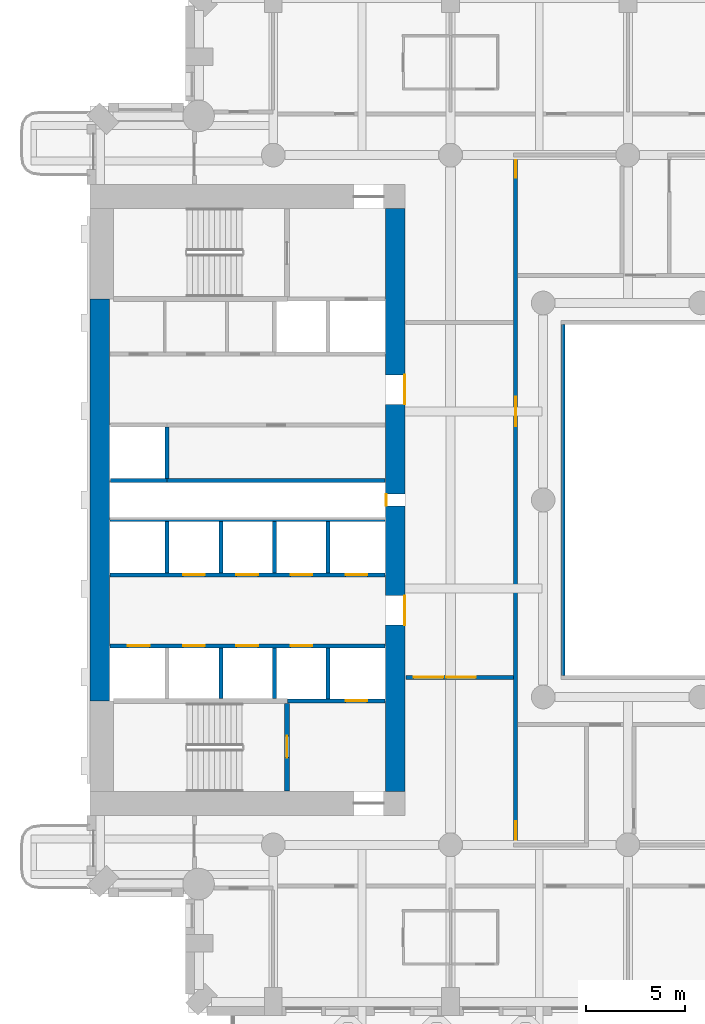
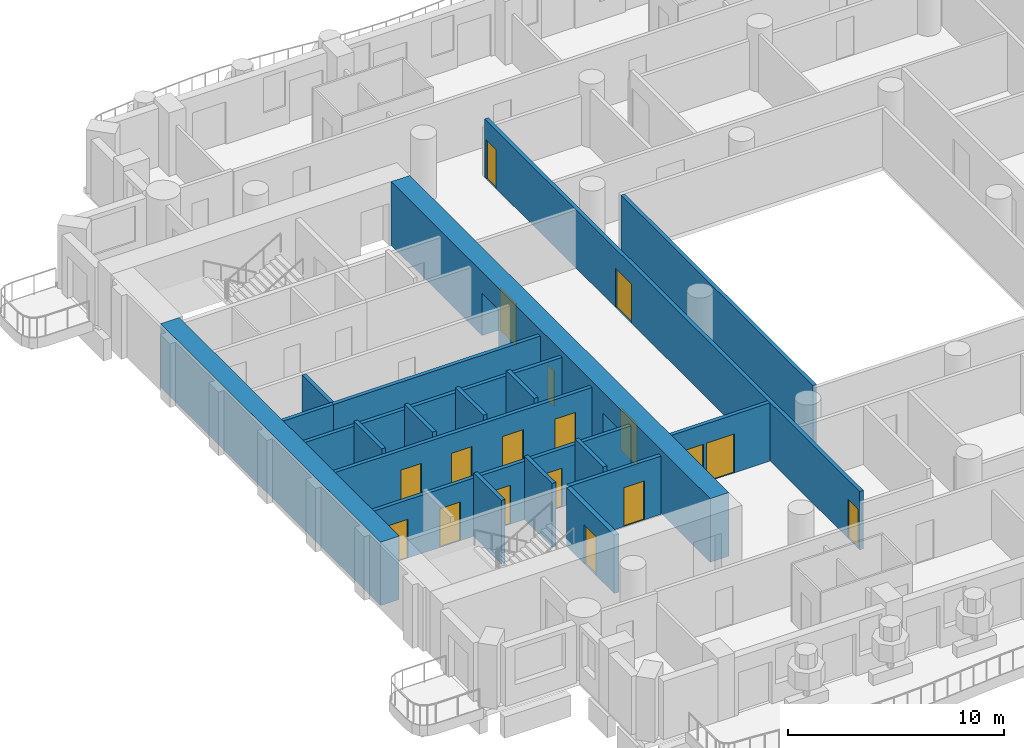
# One storey, part 4 of 19: 20 walls, 18 doors, 18 openings.
"""IFC4 building model written with IfcOpenShell, lengths in metres."""

from ifc_helpers import new_model, si_unit, direction, frame, frame_2d, origin, place, context, subcontext, project, spatial, rectangle, extrude, material, layer, layer_set, type_object, element, fill, save


model = new_model("IFC4")

# Units and contexts
model_context = context("Model", 3, precision=1e-05, world=origin(), true_north=direction((0.0, 1.0)))
body_context = subcontext(model_context, "Body", "Model", "MODEL_VIEW")
ifc_project = project(units=[si_unit("LENGTHUNIT", "METRE"), si_unit("AREAUNIT", "SQUARE_METRE"), si_unit("VOLUMEUNIT", "CUBIC_METRE"), si_unit("PLANEANGLEUNIT", "RADIAN"), si_unit("MASSUNIT", "GRAM", prefix="KILO")], contexts=[model_context])

# Site, building, storey
site_placement = place(None, origin())
site = spatial("IfcSite", under=ifc_project, at=site_placement, CompositionType="ELEMENT")
building_placement = place(site_placement, origin())
building = spatial("IfcBuilding", under=site, at=building_placement, Name="Cypress Arch Tower", CompositionType="ELEMENT")
storey_placement = place(building_placement, frame((0.0, 0.0, 66.300048828125)))
storey = spatial("IfcBuildingStorey", under=building, at=storey_placement, Name="L10", CompositionType="ELEMENT", Elevation=66.300048828125)

# Wall, openings, doors
ifc_material_1 = material(Name="Concrete C80/95", Category="concrete")
ifc_layer_1 = layer(ifc_material_1, 1.0)
ifc_layer_set_1 = layer_set([ifc_layer_1], Name="Core wall CW1000 C80/95")
wall_type_1 = type_object("IfcWallType", Name="Core wall CW1000 C80/95", PredefinedType="SHEAR", material=ifc_layer_set_1)
wall_1_placement = place(storey_placement, frame((-14.5, -14.800048828125, 0.0), z_axis=(0.0, 0.0, 1.0), x_axis=(0.0, 1.0, 0.0)))
wall_1 = element("IfcWall", 1, at=wall_1_placement, inside=storey, type_object=wall_type_1, Name="Core wall", PredefinedType="SHEAR", context=body_context, shape_type="SweptSolid", body=[
    extrude(rectangle(XDim=29.60009765625, YDim=1.0, at=frame_2d((14.800048828125, 0.0))), origin(), (0.0, 0.0, 1.0), 3.599853515625),
])
opening_1_placement = place(wall_1_placement, frame((8.449951171875, 0.0, 0.0)))
opening_1 = element("IfcOpeningElement", 2, at=opening_1_placement, cuts=wall_1, Name="Opening D07", PredefinedType="OPENING", context=body_context, shape_type="SweptSolid", body=[
    extrude(rectangle(XDim=1.5, YDim=2.39990234375, at=frame_2d((0.75, 1.199951171875))), frame((0.0, 0.510009765625, 0.0), z_axis=(0.0, -1.0, 0.0), x_axis=(1.0, 0.0, 0.0)), (0.0, 0.0, 1.0), 1.02001953125),
])
opening_2_placement = place(wall_1_placement, frame((19.64990234375, 0.0, 0.0)))
opening_2 = element("IfcOpeningElement", 3, at=opening_2_placement, cuts=wall_1, Name="Opening D07", PredefinedType="OPENING", context=body_context, shape_type="SweptSolid", body=[
    extrude(rectangle(XDim=1.5, YDim=2.39990234375, at=frame_2d((0.75, 1.199951171875))), frame((0.0, 0.510009765625, 0.0), z_axis=(0.0, -1.0, 0.0), x_axis=(1.0, 0.0, 0.0)), (0.0, 0.0, 1.0), 1.02001953125),
])
opening_3_placement = place(wall_1_placement, frame((14.5, 0.0, 0.0)))
opening_3 = element("IfcOpeningElement", 4, at=opening_3_placement, cuts=wall_1, Name="Opening D08", PredefinedType="OPENING", context=body_context, shape_type="SweptSolid", body=[
    extrude(rectangle(XDim=0.60009765625, YDim=2.0, at=frame_2d((0.300048828125, 1.0))), frame((0.0, 0.510009765625, 0.0), z_axis=(0.0, -1.0, 0.0), x_axis=(1.0, 0.0, 0.0)), (0.0, 0.0, 1.0), 1.02001953125),
])
ifc_material_2 = material(Name="Steel framed glazed door, fire resisting", Category="steel")
door_type_1 = type_object("IfcDoorType", Name="Lobby door D07 1500x2400", OperationType="DOUBLE_DOOR_SINGLE_SWING", PredefinedType="DOOR", material=ifc_material_2)
door_1_placement = place(opening_1_placement, origin())
door_1 = element("IfcDoor", 5, at=door_1_placement, inside=storey, type_object=door_type_1, Name="Lobby door", OperationType="DOUBLE_DOOR_SINGLE_SWING", OverallHeight=2.39990234375, OverallWidth=1.5, PredefinedType="DOOR", context=body_context, shape_type="SweptSolid", body=[
    extrude(rectangle(XDim=1.5, YDim=2.39990234375, at=frame_2d((0.75, 1.199951171875))), frame((0.0, -0.44482421875, 0.0), z_axis=(0.0, -1.0, 0.0), x_axis=(1.0, 0.0, 0.0)), (0.0, 0.0, 1.0), 0.050048828125),
])
fill(opening_1, door_1)
door_2_placement = place(opening_2_placement, origin())
door_2 = element("IfcDoor", 6, at=door_2_placement, inside=storey, type_object=door_type_1, Name="Lobby door", OperationType="DOUBLE_DOOR_SINGLE_SWING", OverallHeight=2.39990234375, OverallWidth=1.5, PredefinedType="DOOR", context=body_context, shape_type="SweptSolid", body=[
    extrude(rectangle(XDim=1.5, YDim=2.39990234375, at=frame_2d((0.75, 1.199951171875))), frame((0.0, -0.44482421875, 0.0), z_axis=(0.0, -1.0, 0.0), x_axis=(1.0, 0.0, 0.0)), (0.0, 0.0, 1.0), 0.050048828125),
])
fill(opening_2, door_2)
ifc_material_3 = material(Name="Steel access door, fire resisting", Category="steel")
door_type_2 = type_object("IfcDoorType", Name="Riser access door D08 600x2000", OperationType="SINGLE_SWING_LEFT", PredefinedType="DOOR", material=ifc_material_3)
door_3_placement = place(opening_3_placement, origin())
door_3 = element("IfcDoor", 7, at=door_3_placement, inside=storey, type_object=door_type_2, Name="Riser access door", OperationType="SINGLE_SWING_RIGHT", OverallHeight=2.0, OverallWidth=0.60009765625, PredefinedType="DOOR", context=body_context, shape_type="SweptSolid", body=[
    extrude(rectangle(XDim=0.60009765625, YDim=2.0, at=frame_2d((0.300048828125, 1.0))), frame((0.0, 0.4951171875, 0.0), z_axis=(0.0, -1.0, 0.0), x_axis=(1.0, 0.0, 0.0)), (0.0, 0.0, 1.0), 0.050048828125),
])
fill(opening_3, door_3)

# Wall
wall_2_placement = place(storey_placement, frame((-29.5, -10.199951171875, 0.0), z_axis=(0.0, 0.0, 1.0), x_axis=(0.0, 1.0, 0.0)))
element("IfcWall", 8, at=wall_2_placement, inside=storey, type_object=wall_type_1, Name="Core wall", PredefinedType="SHEAR", context=body_context, shape_type="SweptSolid", body=[
    extrude(rectangle(XDim=20.39990234375, YDim=1.0, at=frame_2d((10.199951171875, 0.0))), origin(), (0.0, 0.0, 1.0), 3.599853515625),
])

# Wall, openings, doors
ifc_material_4 = material(Name="Concrete blockwork, plastered, rated", Category="masonry")
ifc_layer_2 = layer(ifc_material_4, 0.199951171875)
ifc_layer_set_2 = layer_set([ifc_layer_2], Name="Corridor wall FW200")
wall_type_2 = type_object("IfcWallType", Name="Corridor wall FW200", PredefinedType="PARTITIONING", material=ifc_layer_set_2)
wall_3_placement = place(storey_placement, frame((-13.969970703125, -9.0, 0.0), z_axis=(0.0, 0.0, 1.0), x_axis=(1.0, 0.0, 0.0)))
wall_3 = element("IfcWall", 9, at=wall_3_placement, inside=storey, type_object=wall_type_2, Name="Corridor wall", PredefinedType="PARTITIONING", context=body_context, shape_type="SweptSolid", body=[
    extrude(rectangle(XDim=5.469970703125, YDim=0.199951171875, at=frame_2d((2.73486328125, 0.0))), origin(), (0.0, 0.0, 1.0), 3.300048828125),
])
opening_4_placement = place(wall_3_placement, frame((0.39990234375, 0.0, 0.0)))
opening_4 = element("IfcOpeningElement", 10, at=opening_4_placement, cuts=wall_3, Name="Opening D04", PredefinedType="OPENING", context=body_context, shape_type="SweptSolid", body=[
    extrude(rectangle(XDim=1.5, YDim=2.199951171875, at=frame_2d((0.75, 1.10009765625))), frame((0.0, 0.10986328125, 0.0), z_axis=(0.0, -1.0, 0.0), x_axis=(1.0, 0.0, 0.0)), (0.0, 0.0, 1.0), 0.219970703125),
])
opening_5_placement = place(wall_3_placement, frame((2.050048828125, 0.0, 0.0)))
opening_5 = element("IfcOpeningElement", 11, at=opening_5_placement, cuts=wall_3, Name="Opening D04", PredefinedType="OPENING", context=body_context, shape_type="SweptSolid", body=[
    extrude(rectangle(XDim=1.5, YDim=2.199951171875, at=frame_2d((0.75, 1.10009765625))), frame((0.0, 0.10986328125, 0.0), z_axis=(0.0, -1.0, 0.0), x_axis=(1.0, 0.0, 0.0)), (0.0, 0.0, 1.0), 0.219970703125),
])
ifc_material_5 = material(Name="Timber double door", Category="wood")
door_type_3 = type_object("IfcDoorType", Name="Double door D04 1500x2200", OperationType="DOUBLE_DOOR_SINGLE_SWING", PredefinedType="DOOR", material=ifc_material_5)
door_4_placement = place(opening_4_placement, origin())
door_4 = element("IfcDoor", 12, at=door_4_placement, inside=storey, type_object=door_type_3, Name="Double door", OperationType="DOUBLE_DOOR_SINGLE_SWING", OverallHeight=2.199951171875, OverallWidth=1.5, PredefinedType="DOOR", context=body_context, shape_type="SweptSolid", body=[
    extrude(rectangle(XDim=1.5, YDim=2.199951171875, at=frame_2d((0.75, 1.10009765625))), frame((0.0, 0.02490234375, 0.0), z_axis=(0.0, -1.0, 0.0), x_axis=(1.0, 0.0, 0.0)), (0.0, 0.0, 1.0), 0.050048828125),
])
fill(opening_4, door_4)
door_5_placement = place(opening_5_placement, origin())
door_5 = element("IfcDoor", 13, at=door_5_placement, inside=storey, type_object=door_type_3, Name="Double door", OperationType="DOUBLE_DOOR_SINGLE_SWING", OverallHeight=2.199951171875, OverallWidth=1.5, PredefinedType="DOOR", context=body_context, shape_type="SweptSolid", body=[
    extrude(rectangle(XDim=1.5, YDim=2.199951171875, at=frame_2d((0.75, 1.10009765625))), frame((0.0, 0.02490234375, 0.0), z_axis=(0.0, -1.0, 0.0), x_axis=(1.0, 0.0, 0.0)), (0.0, 0.0, 1.0), 0.050048828125),
])
fill(opening_5, door_5)

wall_4_placement = place(storey_placement, frame((-8.39990234375, -17.39990234375, 0.0), z_axis=(0.0, 0.0, 1.0), x_axis=(0.0, 1.0, 0.0)))
wall_4 = element("IfcWall", 14, at=wall_4_placement, inside=storey, type_object=wall_type_2, Name="Corridor wall", PredefinedType="PARTITIONING", context=body_context, shape_type="SweptSolid", body=[
    extrude(rectangle(XDim=34.7998046875, YDim=0.199951171875, at=frame_2d((17.39990234375, 0.0))), origin(), (0.0, 0.0, 1.0), 3.300048828125),
])
opening_6_placement = place(wall_4_placement, frame((21.14990234375, 0.0, 0.0)))
opening_6 = element("IfcOpeningElement", 15, at=opening_6_placement, cuts=wall_4, Name="Opening D04", PredefinedType="OPENING", context=body_context, shape_type="SweptSolid", body=[
    extrude(rectangle(XDim=1.5, YDim=2.199951171875, at=frame_2d((0.75, 1.10009765625))), frame((0.0, 0.10986328125, 0.0), z_axis=(0.0, -1.0, 0.0), x_axis=(1.0, 0.0, 0.0)), (0.0, 0.0, 1.0), 0.219970703125),
])
opening_7_placement = place(wall_4_placement, frame((33.75, 0.0, 0.0)))
opening_7 = element("IfcOpeningElement", 16, at=opening_7_placement, cuts=wall_4, Name="Opening D05", PredefinedType="OPENING", context=body_context, shape_type="SweptSolid", body=[
    extrude(rectangle(XDim=0.89990234375, YDim=2.199951171875, at=frame_2d((0.449951171875, 1.10009765625))), frame((0.0, 0.10986328125, 0.0), z_axis=(0.0, -1.0, 0.0), x_axis=(1.0, 0.0, 0.0)), (0.0, 0.0, 1.0), 0.219970703125),
])
opening_8_placement = place(wall_4_placement, frame((0.14990234375, 0.0, 0.0)))
opening_8 = element("IfcOpeningElement", 17, at=opening_8_placement, cuts=wall_4, Name="Opening D02", PredefinedType="OPENING", context=body_context, shape_type="SweptSolid", body=[
    extrude(rectangle(XDim=0.949951171875, YDim=2.199951171875, at=frame_2d((0.47509765625, 1.10009765625))), frame((0.0, 0.10986328125, 0.0), z_axis=(0.0, -1.0, 0.0), x_axis=(1.0, 0.0, 0.0)), (0.0, 0.0, 1.0), 0.219970703125),
])
door_6_placement = place(opening_6_placement, origin())
door_6 = element("IfcDoor", 18, at=door_6_placement, inside=storey, type_object=door_type_3, Name="Double door", OperationType="DOUBLE_DOOR_SINGLE_SWING", OverallHeight=2.199951171875, OverallWidth=1.5, PredefinedType="DOOR", context=body_context, shape_type="SweptSolid", body=[
    extrude(rectangle(XDim=1.5, YDim=2.199951171875, at=frame_2d((0.75, 1.10009765625))), frame((0.0, 0.02490234375, 0.0), z_axis=(0.0, -1.0, 0.0), x_axis=(1.0, 0.0, 0.0)), (0.0, 0.0, 1.0), 0.050048828125),
])
fill(opening_6, door_6)
ifc_material_6 = material(Name="Timber flush door, fire resisting", Category="wood")
door_type_4 = type_object("IfcDoorType", Name="Room door D02 950x2200", OperationType="SINGLE_SWING_LEFT", PredefinedType="DOOR", material=ifc_material_6)
door_7_placement = place(opening_8_placement, origin())
door_7 = element("IfcDoor", 19, at=door_7_placement, inside=storey, type_object=door_type_4, Name="Room door", OperationType="SINGLE_SWING_RIGHT", OverallHeight=2.199951171875, OverallWidth=0.949951171875, PredefinedType="DOOR", context=body_context, shape_type="SweptSolid", body=[
    extrude(rectangle(XDim=0.949951171875, YDim=2.199951171875, at=frame_2d((0.47509765625, 1.10009765625))), frame((0.0, 0.02490234375, 0.0), z_axis=(0.0, -1.0, 0.0), x_axis=(1.0, 0.0, 0.0)), (0.0, 0.0, 1.0), 0.050048828125),
])
fill(opening_8, door_7)
ifc_material_7 = material(Name="Timber flush door", Category="wood")
door_type_5 = type_object("IfcDoorType", Name="Service door D05 900x2200", OperationType="SINGLE_SWING_LEFT", PredefinedType="DOOR", material=ifc_material_7)
door_8_placement = place(opening_7_placement, origin())
door_8 = element("IfcDoor", 20, at=door_8_placement, inside=storey, type_object=door_type_5, Name="Service door", OperationType="SINGLE_SWING_LEFT", OverallHeight=2.199951171875, OverallWidth=0.89990234375, PredefinedType="DOOR", context=body_context, shape_type="SweptSolid", body=[
    extrude(rectangle(XDim=0.89990234375, YDim=2.199951171875, at=frame_2d((0.449951171875, 1.10009765625))), frame((0.0, 0.02490234375, 0.0), z_axis=(0.0, -1.0, 0.0), x_axis=(1.0, 0.0, 0.0)), (0.0, 0.0, 1.0), 0.050048828125),
])
fill(opening_7, door_8)

# Walls
wall_5_placement = place(storey_placement, frame((-6.0, -8.89990234375, 0.0), z_axis=(0.0, 0.0, 1.0), x_axis=(0.0, 1.0, 0.0)))
element("IfcWall", 21, at=wall_5_placement, inside=storey, type_object=wall_type_2, Name="Corridor wall", PredefinedType="PARTITIONING", context=body_context, shape_type="SweptSolid", body=[
    extrude(rectangle(XDim=17.7998046875, YDim=0.199951171875, at=frame_2d((8.89990234375, 0.0))), origin(), (0.0, 0.0, 1.0), 3.300048828125),
])
ifc_material_8 = material(Name="Reinforced blockwork, plastered, rated", Category="masonry")
ifc_layer_3 = layer(ifc_material_8, 0.199951171875)
ifc_layer_set_3 = layer_set([ifc_layer_3], Name="Plant and riser wall PL200")
wall_type_3 = type_object("IfcWallType", Name="Plant and riser wall PL200", PredefinedType="PARTITIONING", material=ifc_layer_set_3)
wall_6_placement = place(storey_placement, frame((-26.10009765625, 1.0, 0.0), z_axis=(0.0, 0.0, 1.0), x_axis=(1.0, 0.0, 0.0)))
element("IfcWall", 22, at=wall_6_placement, inside=storey, type_object=wall_type_3, Name="Plant and riser wall", PredefinedType="PARTITIONING", context=body_context, shape_type="SweptSolid", body=[
    extrude(rectangle(XDim=11.070068359375, YDim=0.199951171875, at=frame_2d((5.53515625, 0.0))), origin(), (0.0, 0.0, 1.0), 3.300048828125),
])

# Wall, openings, doors
ifc_material_9 = material(Name="Concrete C50/60", Category="concrete")
ifc_layer_4 = layer(ifc_material_9, 0.199951171875)
ifc_layer_set_4 = layer_set([ifc_layer_4], Name="Shaft wall SH200")
wall_type_4 = type_object("IfcWallType", Name="Shaft wall SH200", PredefinedType="SHEAR", material=ifc_layer_set_4)
wall_7_placement = place(storey_placement, frame((-28.969970703125, -7.39990234375, 0.0), z_axis=(0.0, 0.0, 1.0), x_axis=(1.0, 0.0, 0.0)))
wall_7 = element("IfcWall", 23, at=wall_7_placement, inside=storey, type_object=wall_type_4, Name="Shaft wall", PredefinedType="SHEAR", context=body_context, shape_type="SweptSolid", body=[
    extrude(rectangle(XDim=13.93994140625, YDim=0.199951171875, at=frame_2d((6.969970703125, 0.0))), origin(), (0.0, 0.0, 1.0), 3.300048828125),
])
opening_9_placement = place(wall_7_placement, frame((0.89990234375, 0.0, 0.0)))
opening_9 = element("IfcOpeningElement", 24, at=opening_9_placement, cuts=wall_7, Name="Opening LD-LR1", PredefinedType="OPENING", context=body_context, shape_type="SweptSolid", body=[
    extrude(rectangle(XDim=1.10009765625, YDim=2.199951171875, at=frame_2d((0.550048828125, 1.10009765625))), frame((0.0, 0.10986328125, 0.0), z_axis=(0.0, -1.0, 0.0), x_axis=(1.0, 0.0, 0.0)), (0.0, 0.0, 1.0), 0.219970703125),
])
opening_10_placement = place(wall_7_placement, frame((3.699951171875, 0.0, 0.0)))
opening_10 = element("IfcOpeningElement", 25, at=opening_10_placement, cuts=wall_7, Name="Opening LD-LR2", PredefinedType="OPENING", context=body_context, shape_type="SweptSolid", body=[
    extrude(rectangle(XDim=1.10009765625, YDim=2.199951171875, at=frame_2d((0.550048828125, 1.10009765625))), frame((0.0, 0.10986328125, 0.0), z_axis=(0.0, -1.0, 0.0), x_axis=(1.0, 0.0, 0.0)), (0.0, 0.0, 1.0), 0.219970703125),
])
opening_11_placement = place(wall_7_placement, frame((6.39990234375, 0.0, 0.0)))
opening_11 = element("IfcOpeningElement", 26, at=opening_11_placement, cuts=wall_7, Name="Opening LD-LR3", PredefinedType="OPENING", context=body_context, shape_type="SweptSolid", body=[
    extrude(rectangle(XDim=1.10009765625, YDim=2.199951171875, at=frame_2d((0.550048828125, 1.10009765625))), frame((0.0, 0.10986328125, 0.0), z_axis=(0.0, -1.0, 0.0), x_axis=(1.0, 0.0, 0.0)), (0.0, 0.0, 1.0), 0.219970703125),
])
opening_12_placement = place(wall_7_placement, frame((9.14990234375, 0.0, 0.0)))
opening_12 = element("IfcOpeningElement", 27, at=opening_12_placement, cuts=wall_7, Name="Opening LD-LR4", PredefinedType="OPENING", context=body_context, shape_type="SweptSolid", body=[
    extrude(rectangle(XDim=1.10009765625, YDim=2.199951171875, at=frame_2d((0.550048828125, 1.10009765625))), frame((0.0, 0.10986328125, 0.0), z_axis=(0.0, -1.0, 0.0), x_axis=(1.0, 0.0, 0.0)), (0.0, 0.0, 1.0), 0.219970703125),
])
ifc_material_10 = material(Name="Stainless steel centre-opening landing door, rated", Category="steel")
door_type_6 = type_object("IfcDoorType", Name="Lift landing door LD 1100x2200", OperationType="DOUBLE_DOOR_SLIDING", PredefinedType="DOOR", material=ifc_material_10)
door_9_placement = place(opening_9_placement, origin())
door_9 = element("IfcDoor", 28, at=door_9_placement, inside=storey, type_object=door_type_6, Name="Lift landing doors LR1", OperationType="DOUBLE_DOOR_SLIDING", OverallHeight=2.199951171875, OverallWidth=1.10009765625, PredefinedType="DOOR", context=body_context, shape_type="SweptSolid", body=[
    extrude(rectangle(XDim=1.10009765625, YDim=2.199951171875, at=frame_2d((0.550048828125, 1.10009765625))), frame((0.0, 0.02490234375, 0.0), z_axis=(0.0, -1.0, 0.0), x_axis=(1.0, 0.0, 0.0)), (0.0, 0.0, 1.0), 0.050048828125),
])
fill(opening_9, door_9)
door_10_placement = place(opening_10_placement, origin())
door_10 = element("IfcDoor", 29, at=door_10_placement, inside=storey, type_object=door_type_6, Name="Lift landing doors LR2", OperationType="DOUBLE_DOOR_SLIDING", OverallHeight=2.199951171875, OverallWidth=1.10009765625, PredefinedType="DOOR", context=body_context, shape_type="SweptSolid", body=[
    extrude(rectangle(XDim=1.10009765625, YDim=2.199951171875, at=frame_2d((0.550048828125, 1.10009765625))), frame((0.0, 0.02490234375, 0.0), z_axis=(0.0, -1.0, 0.0), x_axis=(1.0, 0.0, 0.0)), (0.0, 0.0, 1.0), 0.050048828125),
])
fill(opening_10, door_10)
door_11_placement = place(opening_11_placement, origin())
door_11 = element("IfcDoor", 30, at=door_11_placement, inside=storey, type_object=door_type_6, Name="Lift landing doors LR3", OperationType="DOUBLE_DOOR_SLIDING", OverallHeight=2.199951171875, OverallWidth=1.10009765625, PredefinedType="DOOR", context=body_context, shape_type="SweptSolid", body=[
    extrude(rectangle(XDim=1.10009765625, YDim=2.199951171875, at=frame_2d((0.550048828125, 1.10009765625))), frame((0.0, 0.02490234375, 0.0), z_axis=(0.0, -1.0, 0.0), x_axis=(1.0, 0.0, 0.0)), (0.0, 0.0, 1.0), 0.050048828125),
])
fill(opening_11, door_11)
door_12_placement = place(opening_12_placement, origin())
door_12 = element("IfcDoor", 31, at=door_12_placement, inside=storey, type_object=door_type_6, Name="Lift landing doors LR4", OperationType="DOUBLE_DOOR_SLIDING", OverallHeight=2.199951171875, OverallWidth=1.10009765625, PredefinedType="DOOR", context=body_context, shape_type="SweptSolid", body=[
    extrude(rectangle(XDim=1.10009765625, YDim=2.199951171875, at=frame_2d((0.550048828125, 1.10009765625))), frame((0.0, 0.02490234375, 0.0), z_axis=(0.0, -1.0, 0.0), x_axis=(1.0, 0.0, 0.0)), (0.0, 0.0, 1.0), 0.050048828125),
])
fill(opening_12, door_12)

wall_8_placement = place(storey_placement, frame((-28.969970703125, -3.800048828125, 0.0), z_axis=(0.0, 0.0, 1.0), x_axis=(1.0, 0.0, 0.0)))
wall_8 = element("IfcWall", 32, at=wall_8_placement, inside=storey, type_object=wall_type_4, Name="Shaft wall", PredefinedType="SHEAR", context=body_context, shape_type="SweptSolid", body=[
    extrude(rectangle(XDim=13.93994140625, YDim=0.199951171875, at=frame_2d((6.969970703125, 0.0))), origin(), (0.0, 0.0, 1.0), 3.300048828125),
])
opening_13_placement = place(wall_8_placement, frame((3.699951171875, 0.0, 0.0)))
opening_13 = element("IfcOpeningElement", 33, at=opening_13_placement, cuts=wall_8, Name="Opening LD-LR5", PredefinedType="OPENING", context=body_context, shape_type="SweptSolid", body=[
    extrude(rectangle(XDim=1.10009765625, YDim=2.199951171875, at=frame_2d((0.550048828125, 1.10009765625))), frame((0.0, 0.10986328125, 0.0), z_axis=(0.0, -1.0, 0.0), x_axis=(1.0, 0.0, 0.0)), (0.0, 0.0, 1.0), 0.219970703125),
])
opening_14_placement = place(wall_8_placement, frame((6.39990234375, 0.0, 0.0)))
opening_14 = element("IfcOpeningElement", 34, at=opening_14_placement, cuts=wall_8, Name="Opening LD-LR6", PredefinedType="OPENING", context=body_context, shape_type="SweptSolid", body=[
    extrude(rectangle(XDim=1.10009765625, YDim=2.199951171875, at=frame_2d((0.550048828125, 1.10009765625))), frame((0.0, 0.10986328125, 0.0), z_axis=(0.0, -1.0, 0.0), x_axis=(1.0, 0.0, 0.0)), (0.0, 0.0, 1.0), 0.219970703125),
])
opening_15_placement = place(wall_8_placement, frame((9.14990234375, 0.0, 0.0)))
opening_15 = element("IfcOpeningElement", 35, at=opening_15_placement, cuts=wall_8, Name="Opening LD-LR7", PredefinedType="OPENING", context=body_context, shape_type="SweptSolid", body=[
    extrude(rectangle(XDim=1.10009765625, YDim=2.199951171875, at=frame_2d((0.550048828125, 1.10009765625))), frame((0.0, 0.10986328125, 0.0), z_axis=(0.0, -1.0, 0.0), x_axis=(1.0, 0.0, 0.0)), (0.0, 0.0, 1.0), 0.219970703125),
])
opening_16_placement = place(wall_8_placement, frame((11.949951171875, 0.0, 0.0)))
opening_16 = element("IfcOpeningElement", 36, at=opening_16_placement, cuts=wall_8, Name="Opening LD-LR8", PredefinedType="OPENING", context=body_context, shape_type="SweptSolid", body=[
    extrude(rectangle(XDim=1.10009765625, YDim=2.199951171875, at=frame_2d((0.550048828125, 1.10009765625))), frame((0.0, 0.10986328125, 0.0), z_axis=(0.0, -1.0, 0.0), x_axis=(1.0, 0.0, 0.0)), (0.0, 0.0, 1.0), 0.219970703125),
])
door_13_placement = place(opening_13_placement, origin())
door_13 = element("IfcDoor", 37, at=door_13_placement, inside=storey, type_object=door_type_6, Name="Lift landing doors LR5", OperationType="DOUBLE_DOOR_SLIDING", OverallHeight=2.199951171875, OverallWidth=1.10009765625, PredefinedType="DOOR", context=body_context, shape_type="SweptSolid", body=[
    extrude(rectangle(XDim=1.10009765625, YDim=2.199951171875, at=frame_2d((0.550048828125, 1.10009765625))), frame((0.0, 0.02490234375, 0.0), z_axis=(0.0, -1.0, 0.0), x_axis=(1.0, 0.0, 0.0)), (0.0, 0.0, 1.0), 0.050048828125),
])
fill(opening_13, door_13)
door_14_placement = place(opening_14_placement, origin())
door_14 = element("IfcDoor", 38, at=door_14_placement, inside=storey, type_object=door_type_6, Name="Lift landing doors LR6", OperationType="DOUBLE_DOOR_SLIDING", OverallHeight=2.199951171875, OverallWidth=1.10009765625, PredefinedType="DOOR", context=body_context, shape_type="SweptSolid", body=[
    extrude(rectangle(XDim=1.10009765625, YDim=2.199951171875, at=frame_2d((0.550048828125, 1.10009765625))), frame((0.0, 0.02490234375, 0.0), z_axis=(0.0, -1.0, 0.0), x_axis=(1.0, 0.0, 0.0)), (0.0, 0.0, 1.0), 0.050048828125),
])
fill(opening_14, door_14)
door_15_placement = place(opening_15_placement, origin())
door_15 = element("IfcDoor", 39, at=door_15_placement, inside=storey, type_object=door_type_6, Name="Lift landing doors LR7", OperationType="DOUBLE_DOOR_SLIDING", OverallHeight=2.199951171875, OverallWidth=1.10009765625, PredefinedType="DOOR", context=body_context, shape_type="SweptSolid", body=[
    extrude(rectangle(XDim=1.10009765625, YDim=2.199951171875, at=frame_2d((0.550048828125, 1.10009765625))), frame((0.0, 0.02490234375, 0.0), z_axis=(0.0, -1.0, 0.0), x_axis=(1.0, 0.0, 0.0)), (0.0, 0.0, 1.0), 0.050048828125),
])
fill(opening_15, door_15)
door_16_placement = place(opening_16_placement, origin())
door_16 = element("IfcDoor", 40, at=door_16_placement, inside=storey, type_object=door_type_6, Name="Lift landing doors LR8", OperationType="DOUBLE_DOOR_SLIDING", OverallHeight=2.199951171875, OverallWidth=1.10009765625, PredefinedType="DOOR", context=body_context, shape_type="SweptSolid", body=[
    extrude(rectangle(XDim=1.10009765625, YDim=2.199951171875, at=frame_2d((0.550048828125, 1.10009765625))), frame((0.0, 0.02490234375, 0.0), z_axis=(0.0, -1.0, 0.0), x_axis=(1.0, 0.0, 0.0)), (0.0, 0.0, 1.0), 0.050048828125),
])
fill(opening_16, door_16)

# Walls
wall_9_placement = place(storey_placement, frame((-28.969970703125, -1.0, 0.0), z_axis=(0.0, 0.0, 1.0), x_axis=(1.0, 0.0, 0.0)))
element("IfcWall", 41, at=wall_9_placement, inside=storey, type_object=wall_type_4, Name="Shaft wall", PredefinedType="SHEAR", context=body_context, shape_type="SweptSolid", body=[
    extrude(rectangle(XDim=13.93994140625, YDim=0.199951171875, at=frame_2d((6.969970703125, 0.0))), origin(), (0.0, 0.0, 1.0), 3.300048828125),
])
wall_10_placement = place(storey_placement, frame((-28.969970703125, 1.0, 0.0), z_axis=(0.0, 0.0, 1.0), x_axis=(1.0, 0.0, 0.0)))
element("IfcWall", 42, at=wall_10_placement, inside=storey, type_object=wall_type_4, Name="Shaft wall", PredefinedType="SHEAR", context=body_context, shape_type="SweptSolid", body=[
    extrude(rectangle(XDim=2.869873046875, YDim=0.199951171875, at=frame_2d((1.43505859375, 0.0))), origin(), (0.0, 0.0, 1.0), 3.300048828125),
])
wall_11_placement = place(storey_placement, frame((-26.080078125, -3.699951171875, 0.0), z_axis=(0.0, 0.0, 1.0), x_axis=(0.0, 1.0, 0.0)))
element("IfcWall", 43, at=wall_11_placement, inside=storey, type_object=wall_type_4, Name="Shaft wall", PredefinedType="SHEAR", context=body_context, shape_type="SweptSolid", body=[
    extrude(rectangle(XDim=2.599853515625, YDim=0.199951171875, at=frame_2d((1.2998046875, 0.0))), origin(), (0.0, 0.0, 1.0), 3.599853515625),
])
wall_12_placement = place(storey_placement, frame((-26.080078125, 1.10009765625, 0.0), z_axis=(0.0, 0.0, 1.0), x_axis=(0.0, 1.0, 0.0)))
element("IfcWall", 44, at=wall_12_placement, inside=storey, type_object=wall_type_4, Name="Shaft wall", PredefinedType="SHEAR", context=body_context, shape_type="SweptSolid", body=[
    extrude(rectangle(XDim=2.599853515625, YDim=0.199951171875, at=frame_2d((1.2998046875, 0.0))), origin(), (0.0, 0.0, 1.0), 3.300048828125),
])
wall_13_placement = place(storey_placement, frame((-23.360107421875, -10.074951171875, 0.0), z_axis=(0.0, 0.0, 1.0), x_axis=(0.0, 1.0, 0.0)))
element("IfcWall", 45, at=wall_13_placement, inside=storey, type_object=wall_type_4, Name="Shaft wall", PredefinedType="SHEAR", context=body_context, shape_type="SweptSolid", body=[
    extrude(rectangle(XDim=2.574951171875, YDim=0.199951171875, at=frame_2d((1.28759765625, 0.0))), origin(), (0.0, 0.0, 1.0), 3.599853515625),
])
wall_14_placement = place(storey_placement, frame((-23.360107421875, -3.699951171875, 0.0), z_axis=(0.0, 0.0, 1.0), x_axis=(0.0, 1.0, 0.0)))
element("IfcWall", 46, at=wall_14_placement, inside=storey, type_object=wall_type_4, Name="Shaft wall", PredefinedType="SHEAR", context=body_context, shape_type="SweptSolid", body=[
    extrude(rectangle(XDim=2.599853515625, YDim=0.199951171875, at=frame_2d((1.2998046875, 0.0))), origin(), (0.0, 0.0, 1.0), 3.599853515625),
])
wall_15_placement = place(storey_placement, frame((-20.639892578125, -10.074951171875, 0.0), z_axis=(0.0, 0.0, 1.0), x_axis=(0.0, 1.0, 0.0)))
element("IfcWall", 47, at=wall_15_placement, inside=storey, type_object=wall_type_4, Name="Shaft wall", PredefinedType="SHEAR", context=body_context, shape_type="SweptSolid", body=[
    extrude(rectangle(XDim=2.574951171875, YDim=0.199951171875, at=frame_2d((1.28759765625, 0.0))), origin(), (0.0, 0.0, 1.0), 3.599853515625),
])
wall_16_placement = place(storey_placement, frame((-20.639892578125, -3.699951171875, 0.0), z_axis=(0.0, 0.0, 1.0), x_axis=(0.0, 1.0, 0.0)))
element("IfcWall", 48, at=wall_16_placement, inside=storey, type_object=wall_type_4, Name="Shaft wall", PredefinedType="SHEAR", context=body_context, shape_type="SweptSolid", body=[
    extrude(rectangle(XDim=2.599853515625, YDim=0.199951171875, at=frame_2d((1.2998046875, 0.0))), origin(), (0.0, 0.0, 1.0), 3.599853515625),
])

# Wall, opening, door
wall_17_placement = place(storey_placement, frame((-19.97998046875, -10.199951171875, 0.0), z_axis=(0.0, 0.0, 1.0), x_axis=(1.0, 0.0, 0.0)))
wall_17 = element("IfcWall", 49, at=wall_17_placement, inside=storey, type_object=wall_type_4, Name="Shaft wall", PredefinedType="SHEAR", context=body_context, shape_type="SweptSolid", body=[
    extrude(rectangle(XDim=4.949951171875, YDim=0.199951171875, at=frame_2d((2.47509765625, 0.0))), origin(), (0.0, 0.0, 1.0), 3.300048828125),
])
opening_17_placement = place(wall_17_placement, frame((2.949951171875, 0.0, 0.0)))
opening_17 = element("IfcOpeningElement", 50, at=opening_17_placement, cuts=wall_17, Name="Opening LD-FL1", PredefinedType="OPENING", context=body_context, shape_type="SweptSolid", body=[
    extrude(rectangle(XDim=1.10009765625, YDim=2.199951171875, at=frame_2d((0.550048828125, 1.10009765625))), frame((0.0, 0.10986328125, 0.0), z_axis=(0.0, -1.0, 0.0), x_axis=(1.0, 0.0, 0.0)), (0.0, 0.0, 1.0), 0.219970703125),
])
door_17_placement = place(opening_17_placement, origin())
door_17 = element("IfcDoor", 51, at=door_17_placement, inside=storey, type_object=door_type_6, Name="Lift landing doors FL1", OperationType="DOUBLE_DOOR_SLIDING", OverallHeight=2.199951171875, OverallWidth=1.10009765625, PredefinedType="DOOR", context=body_context, shape_type="SweptSolid", body=[
    extrude(rectangle(XDim=1.10009765625, YDim=2.199951171875, at=frame_2d((0.550048828125, 1.10009765625))), frame((0.0, 0.02490234375, 0.0), z_axis=(0.0, -1.0, 0.0), x_axis=(1.0, 0.0, 0.0)), (0.0, 0.0, 1.0), 0.050048828125),
])
fill(opening_17, door_17)

# Walls
wall_18_placement = place(storey_placement, frame((-17.919921875, -10.10009765625, 0.0), z_axis=(0.0, 0.0, 1.0), x_axis=(0.0, 1.0, 0.0)))
element("IfcWall", 52, at=wall_18_placement, inside=storey, type_object=wall_type_4, Name="Shaft wall", PredefinedType="SHEAR", context=body_context, shape_type="SweptSolid", body=[
    extrude(rectangle(XDim=2.60009765625, YDim=0.199951171875, at=frame_2d((1.300048828125, 0.0))), origin(), (0.0, 0.0, 1.0), 3.599853515625),
])
wall_19_placement = place(storey_placement, frame((-17.919921875, -3.699951171875, 0.0), z_axis=(0.0, 0.0, 1.0), x_axis=(0.0, 1.0, 0.0)))
element("IfcWall", 53, at=wall_19_placement, inside=storey, type_object=wall_type_4, Name="Shaft wall", PredefinedType="SHEAR", context=body_context, shape_type="SweptSolid", body=[
    extrude(rectangle(XDim=2.599853515625, YDim=0.199951171875, at=frame_2d((1.2998046875, 0.0))), origin(), (0.0, 0.0, 1.0), 3.599853515625),
])

# Wall, opening, door
ifc_material_11 = material(Name="Concrete C50/60", Category="concrete")
ifc_layer_5 = layer(ifc_material_11, 0.25)
ifc_layer_set_5 = layer_set([ifc_layer_5], Name="Stair enclosure wall SW250")
wall_type_5 = type_object("IfcWallType", Name="Stair enclosure wall SW250", PredefinedType="SHEAR", material=ifc_layer_set_5)
wall_20_placement = place(storey_placement, frame((-20.0, -14.77001953125, 0.0), z_axis=(0.0, 0.0, 1.0), x_axis=(0.0, 1.0, 0.0)))
wall_20 = element("IfcWall", 54, at=wall_20_placement, inside=storey, type_object=wall_type_5, Name="Stair enclosure wall", PredefinedType="SHEAR", context=body_context, shape_type="SweptSolid", body=[
    extrude(rectangle(XDim=4.445068359375, YDim=0.25, at=frame_2d((2.22265625, 0.0))), origin(), (0.0, 0.0, 1.0), 3.300048828125),
])
opening_18_placement = place(wall_20_placement, frame((1.699951171875, 0.0, 0.0)))
opening_18 = element("IfcOpeningElement", 55, at=opening_18_placement, cuts=wall_20, Name="Opening D06", PredefinedType="OPENING", context=body_context, shape_type="SweptSolid", body=[
    extrude(rectangle(XDim=1.10009765625, YDim=2.199951171875, at=frame_2d((0.550048828125, 1.10009765625))), frame((0.0, 0.135009765625, 0.0), z_axis=(0.0, -1.0, 0.0), x_axis=(1.0, 0.0, 0.0)), (0.0, 0.0, 1.0), 0.27001953125),
])
ifc_material_12 = material(Name="Steel door, fire resisting, panic bar", Category="steel")
door_type_7 = type_object("IfcDoorType", Name="Stair door D06 1100x2200", OperationType="SINGLE_SWING_LEFT", PredefinedType="DOOR", material=ifc_material_12)
door_18_placement = place(opening_18_placement, origin())
door_18 = element("IfcDoor", 56, at=door_18_placement, inside=storey, type_object=door_type_7, Name="Stair door", OperationType="SINGLE_SWING_RIGHT", OverallHeight=2.199951171875, OverallWidth=1.10009765625, PredefinedType="DOOR", context=body_context, shape_type="SweptSolid", body=[
    extrude(rectangle(XDim=1.10009765625, YDim=2.199951171875, at=frame_2d((0.550048828125, 1.10009765625))), frame((0.0, 0.02490234375, 0.0), z_axis=(0.0, -1.0, 0.0), x_axis=(1.0, 0.0, 0.0)), (0.0, 0.0, 1.0), 0.050048828125),
])
fill(opening_18, door_18)

save(model, "model.ifc")
